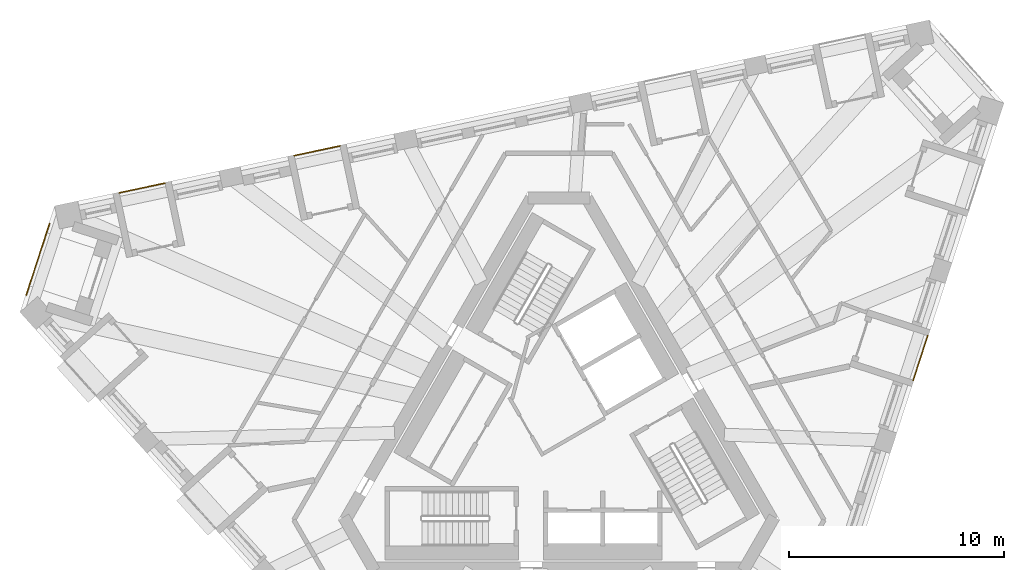
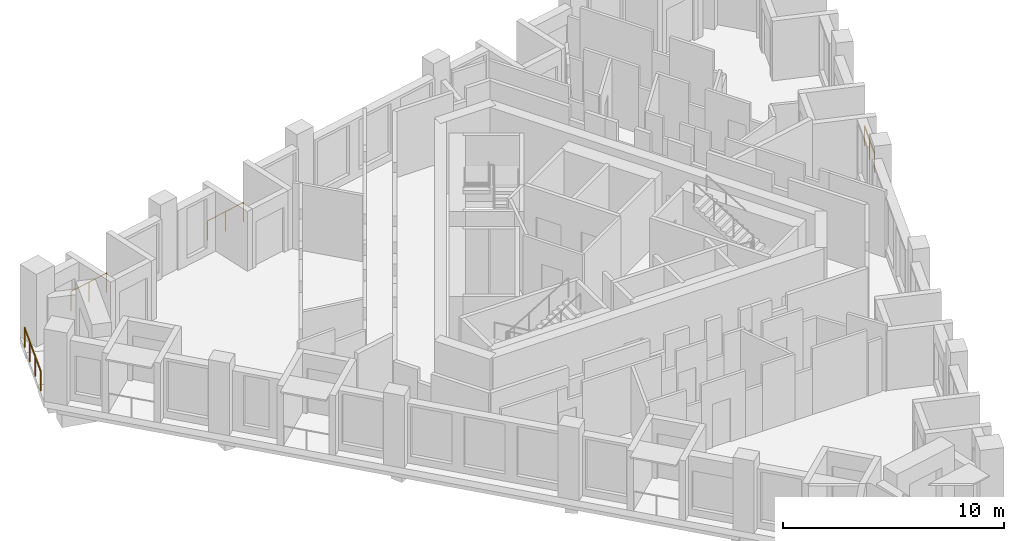
# One storey, part 11 of 12: 4 railings.
"""IFC4 building model written with IfcOpenShell, lengths in metres."""

from ifc_helpers import new_model, si_unit, direction, frame, origin, origin_2d, place, context, subcontext, project, spatial, circle, extrude, material, type_object, element, save


model = new_model("IFC4")

# Units and contexts
model_context = context("Model", 3, precision=1e-05, world=origin(), true_north=direction((0.0, 1.0)))
body_context = subcontext(model_context, "Body", "Model", "MODEL_VIEW")
ifc_project = project(units=[si_unit("LENGTHUNIT", "METRE"), si_unit("AREAUNIT", "SQUARE_METRE"), si_unit("VOLUMEUNIT", "CUBIC_METRE"), si_unit("PLANEANGLEUNIT", "RADIAN"), si_unit("MASSUNIT", "GRAM", prefix="KILO")], contexts=[model_context])

# Site, building, storey
site_placement = place(None, origin())
site = spatial("IfcSite", under=ifc_project, at=site_placement, CompositionType="ELEMENT")
building_placement = place(site_placement, origin())
building = spatial("IfcBuilding", under=site, at=building_placement, Name="Tramontana Tower", CompositionType="ELEMENT")
storey_placement = place(building_placement, frame((0.0, 0.0, 344.39990234375)))
storey = spatial("IfcBuildingStorey", under=building, at=storey_placement, Name="L79", CompositionType="ELEMENT", Elevation=344.39990234375)

# Railings
ifc_material = material(Name="Laminated glass balustrade", Category="glass")
railing_type = type_object("IfcRailingType", Name="GD1 Loggia glass balustrade 1100", PredefinedType="BALUSTRADE", material=ifc_material)
railing_1_placement = place(storey_placement, frame((16.470947265625, 2.24853515625, 0.0)))
element("IfcRailing", 1, at=railing_1_placement, inside=storey, type_object=railing_type, Name="Loggia balustrade L79 G8S1.10", PredefinedType="BALUSTRADE", context=body_context, shape_type="SweptSolid", body=[
    extrude(circle(Radius=0.02392578125, at=origin_2d()), frame((0.0, 0.0, 1.076171875), z_axis=(0.308999623589, 0.95106216023, 0.0), x_axis=(-0.95106216023, 0.308999623589, 0.0)), (0.0, 0.0, 1.0), 2.171142578125),
    extrude(circle(Radius=0.02099609375, at=origin_2d()), origin(), (0.0, 0.0, 1.0), 1.052001953125),
    extrude(circle(Radius=0.02099609375, at=origin_2d()), frame((0.33544921875, 1.032470703125, 0.0)), (0.0, 0.0, 1.0), 1.052001953125),
    extrude(circle(Radius=0.02099609375, at=origin_2d()), frame((0.6708984375, 2.06494140625, 0.0)), (0.0, 0.0, 1.0), 1.052001953125),
])
railing_2_placement = place(storey_placement, frame((-10.1826171875, 13.14013671875, 0.0)))
element("IfcRailing", 2, at=railing_2_placement, inside=storey, type_object=railing_type, Name="Loggia balustrade L79 G8S2.10", PredefinedType="BALUSTRADE", context=body_context, shape_type="SweptSolid", body=[
    extrude(circle(Radius=0.02392578125, at=origin_2d()), frame((0.0, 0.0, 1.076171875), z_axis=(-0.978153135692, -0.207885649183, 0.0), x_axis=(0.207885649183, -0.978153135692, 0.0)), (0.0, 0.0, 1.0), 2.17138671875),
    extrude(circle(Radius=0.02099609375, at=origin_2d()), origin(), (0.0, 0.0, 1.0), 1.052001953125),
    extrude(circle(Radius=0.02099609375, at=origin_2d()), frame((-1.06201171875, -0.2255859375, 0.0)), (0.0, 0.0, 1.0), 1.052001953125),
    extrude(circle(Radius=0.02099609375, at=origin_2d()), frame((-2.1240234375, -0.451416015625, 0.0)), (0.0, 0.0, 1.0), 1.052001953125),
])
railing_3_placement = place(storey_placement, frame((-18.31494140625, 11.411376953125, 0.0)))
element("IfcRailing", 3, at=railing_3_placement, inside=storey, type_object=railing_type, Name="Loggia balustrade L79 G8S2.13", PredefinedType="BALUSTRADE", context=body_context, shape_type="SweptSolid", body=[
    extrude(circle(Radius=0.02392578125, at=origin_2d()), frame((0.0, 0.0, 1.076171875), z_axis=(-0.978148276005, -0.207908513891, 0.0), x_axis=(0.207908513891, -0.978148276005, 0.0)), (0.0, 0.0, 1.0), 2.171142578125),
    extrude(circle(Radius=0.02099609375, at=origin_2d()), origin(), (0.0, 0.0, 1.0), 1.052001953125),
    extrude(circle(Radius=0.02099609375, at=origin_2d()), frame((-1.06201171875, -0.2255859375, 0.0)), (0.0, 0.0, 1.0), 1.052001953125),
    extrude(circle(Radius=0.02099609375, at=origin_2d()), frame((-2.123779296875, -0.451416015625, 0.0)), (0.0, 0.0, 1.0), 1.052001953125),
])
railing_4_placement = place(storey_placement, frame((-24.76416015625, 6.206298828125, 0.0)))
element("IfcRailing", 4, at=railing_4_placement, inside=storey, type_object=railing_type, Name="Corner loggia balustrade L79 K80", PredefinedType="BALUSTRADE", context=body_context, shape_type="SweptSolid", body=[
    extrude(circle(Radius=0.02392578125, at=origin_2d()), frame((0.0, 0.0, 1.076171875), z_axis=(0.309019824916, 0.951055596592, 0.0), x_axis=(-0.951055596592, 0.309019824916, 0.0)), (0.0, 0.0, 1.0), 3.5),
    extrude(circle(Radius=0.02099609375, at=origin_2d()), origin(), (0.0, 0.0, 1.0), 1.052001953125),
    extrude(circle(Radius=0.02099609375, at=origin_2d()), frame((0.360595703125, 1.109619140625, 0.0)), (0.0, 0.0, 1.0), 1.052001953125),
    extrude(circle(Radius=0.02099609375, at=origin_2d()), frame((0.720947265625, 2.218994140625, 0.0)), (0.0, 0.0, 1.0), 1.052001953125),
    extrude(circle(Radius=0.02099609375, at=origin_2d()), frame((1.08154296875, 3.32861328125, 0.0)), (0.0, 0.0, 1.0), 1.052001953125),
])

save(model, "model.ifc")
